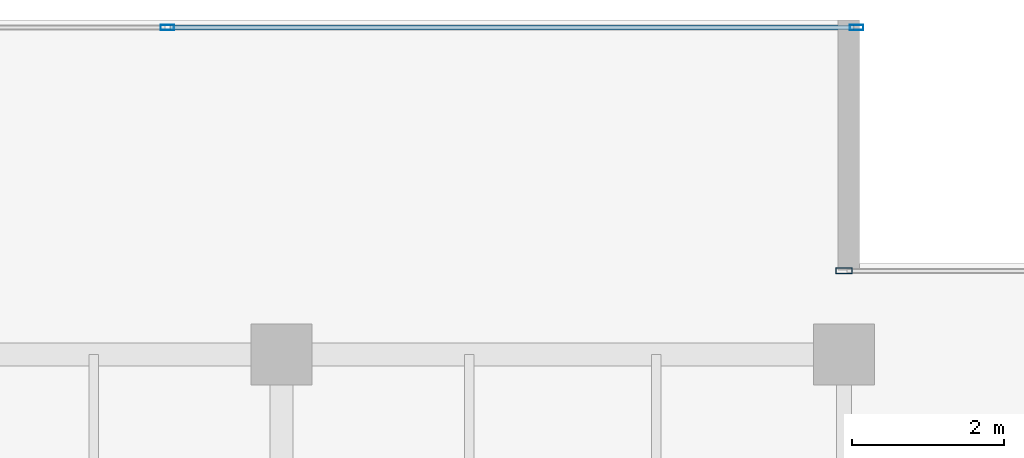
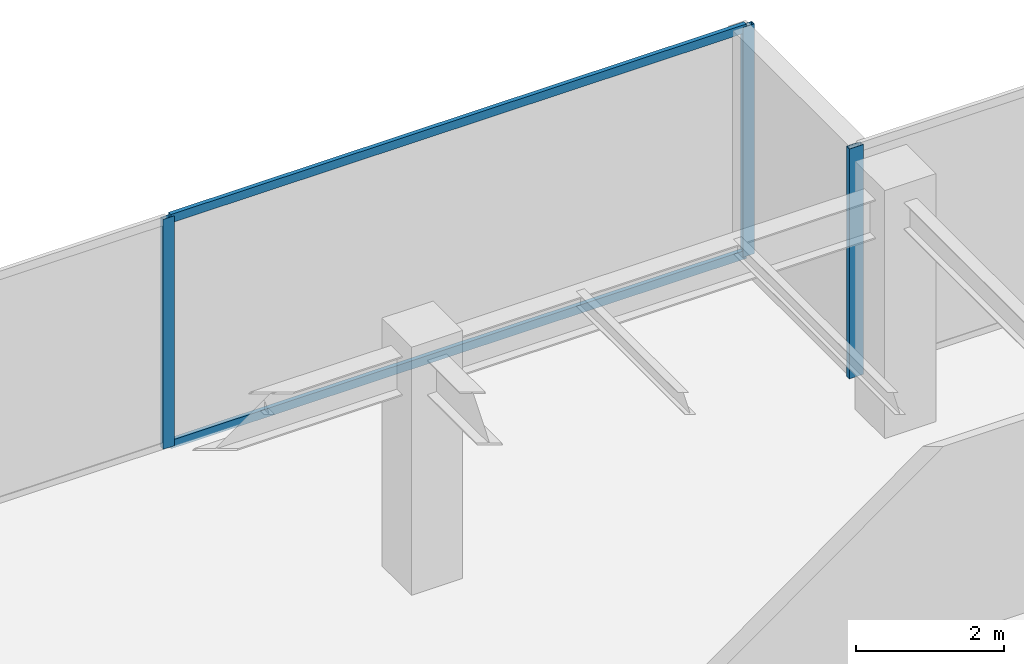
# One storey, part 21 of 33: 5 members, 2 elements without a shape of their own.
"""IFC4 building model written with IfcOpenShell, lengths in metres."""

from ifc_helpers import new_model, si_unit, direction, frame, origin, origin_2d, place, context, subcontext, project, spatial, hollow_rectangle, extrude, source, transform, mapped, material, layer, layer_set, material_profile, profile_set, type_object, type_shapes, element, aggregate, save


model = new_model("IFC4")

# Units and contexts
model_context = context("Model", 3, precision=1e-05, world=origin(), true_north=direction((0.0, 1.0)))
body_context = subcontext(model_context, "Body", "Model", "MODEL_VIEW")
ifc_project = project(units=[si_unit("LENGTHUNIT", "METRE"), si_unit("AREAUNIT", "SQUARE_METRE"), si_unit("VOLUMEUNIT", "CUBIC_METRE"), si_unit("PLANEANGLEUNIT", "RADIAN"), si_unit("MASSUNIT", "GRAM", prefix="KILO")], contexts=[model_context])

# Site, building, storey
site_placement = place(None, origin())
site = spatial("IfcSite", under=ifc_project, at=site_placement, CompositionType="ELEMENT")
building_placement = place(site_placement, origin())
building = spatial("IfcBuilding", under=site, at=building_placement, Name="Haelvirn Gate Laboratories", CompositionType="ELEMENT")
storey_placement = place(building_placement, frame((0.0, 0.0, 267.0)))
storey = spatial("IfcBuildingStorey", under=building, at=storey_placement, Name="L64", CompositionType="ELEMENT", Elevation=267.0)

# Curtain wall, members
ifc_material_1 = material(Name="Anodised bronze unitised aluminium & triple low-E glass", Category="aluminium")
ifc_layer_1 = layer(ifc_material_1, 0.176025390625, Name="CW-SYS-4")
ifc_layer_set_1 = layer_set([ifc_layer_1], Name="Anodised bronze unitised aluminium & triple low-E glass")
curtain_wall_type_1 = type_object("IfcCurtainWallType", Name="CW-SYS-4", PredefinedType="NOTDEFINED", material=ifc_layer_set_1)
curtain_wall_1_placement = place(storey_placement, origin())
curtain_wall_1 = element("IfcCurtainWall", 1, at=curtain_wall_1_placement, inside=storey, type_object=curtain_wall_type_1, Name="L64 Unitised Curtain Wall CW-L64-P0-E10-1", PredefinedType="NOTDEFINED")
ifc_material_2 = material(Name="Extruded aluminium 6063-T6 (anodised bronze)", Category="aluminium")
ifc_material_profile_1 = material_profile(ifc_material_2, hollow_rectangle(XDim=0.06494140625, YDim=0.139892578125, WallThickness=0.00390625, at=origin_2d()), Name="CWT-140x65x4")
ifc_profile_set_1 = profile_set([ifc_material_profile_1], Name="Extruded aluminium 6063-T6 (anodised bronze)")
member_type_1 = type_object("IfcMemberType", Name="CWT-T140", PredefinedType="USERDEFINED", material=ifc_profile_set_1)
shared_shape_1 = source(origin(), body_context, "Body", "SweptSolid", [
    extrude(hollow_rectangle(XDim=0.06494140625, YDim=0.139892578125, WallThickness=0.00390625, at=origin_2d()), origin(), (0.0, 0.0, 1.0), 8.9951171875),
])
type_shapes(member_type_1, [shared_shape_1])
member_1_placement = place(storey_placement, frame((58.534912109375, 45.89990234375, 0.032470703125), z_axis=(1.0, 0.0, 0.0), x_axis=(0.0, 1.0, 0.0)))
member_1 = element("IfcMember", 2, at=member_1_placement, type_object=member_type_1, Name="CW4 transom 2.1", ObjectType="TRANSOM", PredefinedType="USERDEFINED", context=body_context, shape_type="MappedRepresentation", body=[
    mapped(shared_shape_1, transform((0.0, 0.0, 0.0), scale=1.0)),
])
member_2_placement = place(storey_placement, frame((58.534912109375, 45.89990234375, 3.767578125), z_axis=(1.0, 0.0, 0.0), x_axis=(0.0, 1.0, 0.0)))
member_2 = element("IfcMember", 3, at=member_2_placement, type_object=member_type_1, Name="CW4 transom 2.2", ObjectType="TRANSOM", PredefinedType="USERDEFINED", context=body_context, shape_type="MappedRepresentation", body=[
    mapped(shared_shape_1, transform((0.0, 0.0, 0.0), scale=1.0)),
])
ifc_material_profile_2 = material_profile(ifc_material_2, hollow_rectangle(XDim=0.070068359375, YDim=0.179931640625, WallThickness=0.0048828125, at=origin_2d()), Name="CWM-180x70x5")
ifc_profile_set_2 = profile_set([ifc_material_profile_2], Name="Extruded aluminium 6063-T6 (anodised bronze)")
member_type_2 = type_object("IfcMemberType", Name="CWM-T180", PredefinedType="MULLION", material=ifc_profile_set_2)
shared_shape_2 = source(origin(), body_context, "Body", "SweptSolid", [
    extrude(hollow_rectangle(XDim=0.070068359375, YDim=0.179931640625, WallThickness=0.0048828125, at=origin_2d()), origin(), (0.0, 0.0, 1.0), 3.800048828125),
])
type_shapes(member_type_2, [shared_shape_2])
member_3_placement = place(storey_placement, frame((58.5, 45.89990234375, 0.0), z_axis=(0.0, 0.0, 1.0), x_axis=(0.0, 1.0, 0.0)))
member_3 = element("IfcMember", 4, at=member_3_placement, type_object=member_type_2, Name="CW4 mullion 2", PredefinedType="MULLION", context=body_context, shape_type="MappedRepresentation", body=[
    mapped(shared_shape_2, transform((0.0, 0.0, 0.0), scale=1.0)),
])
member_4_placement = place(storey_placement, frame((67.56494140625, 45.89990234375, 0.0), z_axis=(0.0, 0.0, 1.0), x_axis=(0.0, 1.0, 0.0)))
member_4 = element("IfcMember", 5, at=member_4_placement, type_object=member_type_2, Name="CW4 mullion 3", PredefinedType="MULLION", context=body_context, shape_type="MappedRepresentation", body=[
    mapped(shared_shape_2, transform((0.0, 0.0, 0.0), scale=1.0)),
])
aggregate(curtain_wall_1, [member_3, member_4, member_1, member_2])

# Curtain wall, member
ifc_layer_2 = layer(ifc_material_1, 0.181884765625, Name="CW-SYS-5")
ifc_layer_set_2 = layer_set([ifc_layer_2], Name="Anodised bronze unitised aluminium & triple low-E glass")
curtain_wall_type_2 = type_object("IfcCurtainWallType", Name="CW-SYS-5", PredefinedType="NOTDEFINED", material=ifc_layer_set_2)
curtain_wall_2_placement = place(storey_placement, origin())
curtain_wall_2 = element("IfcCurtainWall", 6, at=curtain_wall_2_placement, inside=storey, type_object=curtain_wall_type_2, Name="L64 Unitised Curtain Wall CW-L64-P0-E08-1", PredefinedType="NOTDEFINED")
ifc_material_profile_3 = material_profile(ifc_material_2, hollow_rectangle(XDim=0.080078125, YDim=0.219970703125, WallThickness=0.006103515625, at=origin_2d()), Name="CWM-220x80x6")
ifc_profile_set_3 = profile_set([ifc_material_profile_3], Name="Extruded aluminium 6063-T6 (anodised bronze)")
member_type_3 = type_object("IfcMemberType", Name="CWM-T220", PredefinedType="MULLION", material=ifc_profile_set_3)
shared_shape_3 = source(origin(), body_context, "Body", "SweptSolid", [
    extrude(hollow_rectangle(XDim=0.080078125, YDim=0.219970703125, WallThickness=0.006103515625, at=origin_2d()), origin(), (0.0, 0.0, 1.0), 3.800048828125),
])
type_shapes(member_type_3, [shared_shape_3])
member_5_placement = place(storey_placement, frame((67.39990234375, 42.699951171875, 0.0), z_axis=(0.0, 0.0, 1.0), x_axis=(0.0, 1.0, 0.0)))
member_5 = element("IfcMember", 7, at=member_5_placement, type_object=member_type_3, Name="CW5 mullion 1", PredefinedType="MULLION", context=body_context, shape_type="MappedRepresentation", body=[
    mapped(shared_shape_3, transform((0.0, 0.0, 0.0), scale=1.0)),
])
aggregate(curtain_wall_2, [member_5])

save(model, "model.ifc")
